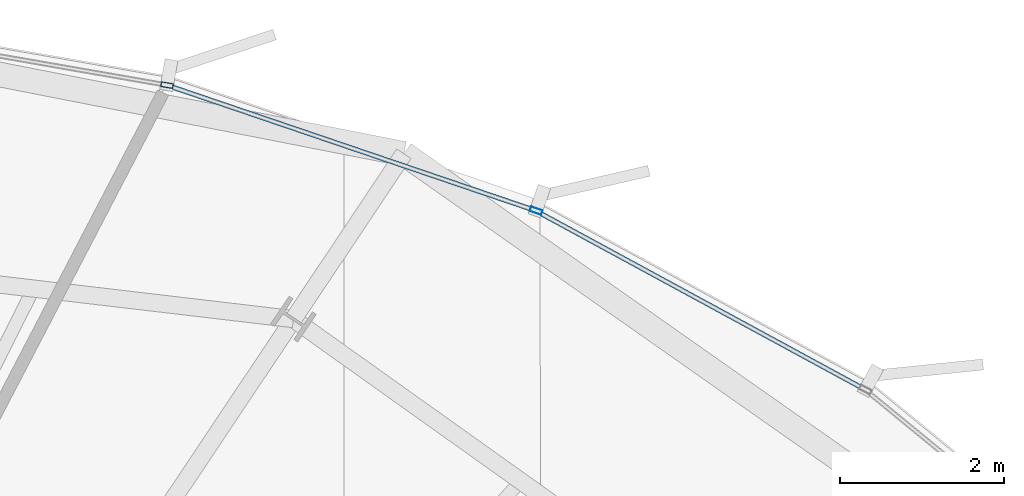
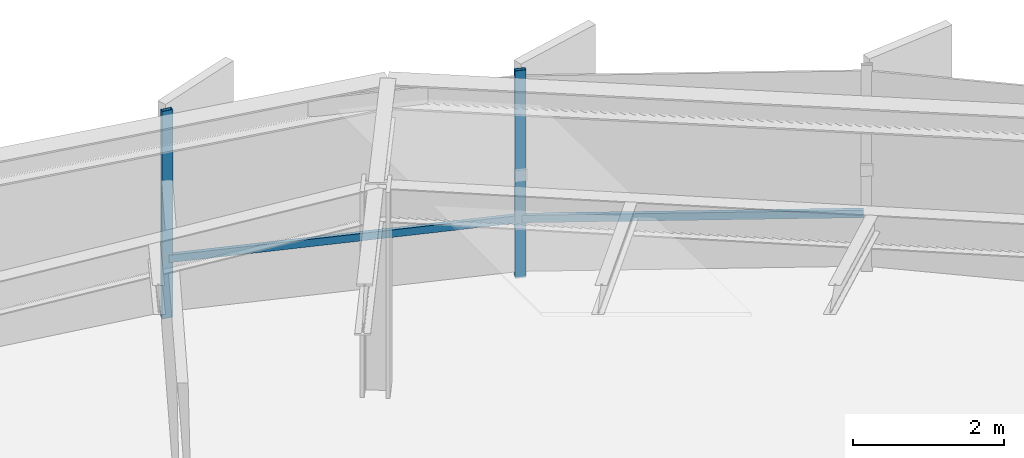
# One storey, part 23 of 33: 4 members, 1 element without a shape of its own.
"""IFC4 building model written with IfcOpenShell, lengths in metres."""

from ifc_helpers import new_model, si_unit, direction, frame, origin, origin_2d, place, context, subcontext, project, spatial, hollow_rectangle, extrude, source, transform, mapped, material, layer, layer_set, material_profile, profile_set, type_object, element, aggregate, save


model = new_model("IFC4")

# Units and contexts
model_context = context("Model", 3, precision=1e-05, world=origin(), true_north=direction((0.0, 1.0)))
body_context = subcontext(model_context, "Body", "Model", "MODEL_VIEW")
ifc_project = project(units=[si_unit("LENGTHUNIT", "METRE"), si_unit("AREAUNIT", "SQUARE_METRE"), si_unit("VOLUMEUNIT", "CUBIC_METRE"), si_unit("PLANEANGLEUNIT", "RADIAN"), si_unit("MASSUNIT", "GRAM", prefix="KILO"), si_unit("THERMODYNAMICTEMPERATUREUNIT", "KELVIN")], contexts=[model_context])

# Site, building, storey
site_placement = place(None, origin())
site = spatial("IfcSite", under=ifc_project, at=site_placement, CompositionType="ELEMENT")
building_placement = place(site_placement, origin())
building = spatial("IfcBuilding", under=site, at=building_placement, Name="Kethvar Cultural Tower", CompositionType="ELEMENT")
storey_placement = place(building_placement, frame((0.0, 0.0, 110.800048828125)))
storey = spatial("IfcBuildingStorey", under=building, at=storey_placement, Name="L27", CompositionType="ELEMENT", Elevation=110.800048828125)

# Curtain wall, members
ifc_material = material(Name="Aluminium 6063-T6", Category="aluminium")
ifc_layer = layer(ifc_material, 0.179931640625, Name="Aluminium 6063-T6", Category="aluminium")
ifc_layer_set = layer_set([ifc_layer], Name="Aluminium 6063-T6 (180 mm)")
curtain_wall_type = type_object("IfcCurtainWallType", Name="CW-SYS-03-Z2", PredefinedType="NOTDEFINED", material=ifc_layer_set)
curtain_wall_placement = place(storey_placement, origin())
curtain_wall = element("IfcCurtainWall", 1, at=curtain_wall_placement, inside=storey, type_object=curtain_wall_type, Name="L27 Curtain Wall Run 01", PredefinedType="NOTDEFINED")
ifc_material_profile_1 = material_profile(ifc_material, hollow_rectangle(XDim=0.06005859375, YDim=0.14990234375, WallThickness=0.0048828125, at=origin_2d()), Name="Aluminium 6063-T6 — RHS150x60x5")
ifc_profile_set_1 = profile_set([ifc_material_profile_1], Name="Aluminium 6063-T6 — RHS150x60x5")
member_type_1 = type_object("IfcMemberType", Name="CW-SYS-03-Z2-MUL", PredefinedType="MULLION", material=ifc_profile_set_1)
shared_shape_1 = source(origin(), body_context, "Body", "SweptSolid", [
    extrude(hollow_rectangle(XDim=0.06005859375, YDim=0.14990234375, WallThickness=0.0048828125, at=origin_2d()), origin(), (0.0, 0.0, 1.0), 3.349853515625),
])
member_1_placement = place(storey_placement, frame((63.36962890625, 49.484619140625, 0.0), z_axis=(0.0, 0.0, 1.0), x_axis=(-0.321951756734, -0.946756075415, 0.0)))
member_1 = element("IfcMember", 2, at=member_1_placement, type_object=member_type_1, Name="CW-L27-R01 Mullion 5", PredefinedType="MULLION", context=body_context, shape_type="MappedRepresentation", body=[
    mapped(shared_shape_1, transform((0.0, 0.0, 0.0), scale=1.0)),
])
member_2_placement = place(storey_placement, frame((58.86083984375, 51.019287109375, 0.0), z_axis=(0.0, 0.0, 1.0), x_axis=(-0.171619610578, -0.985163290661, 0.0)))
member_2 = element("IfcMember", 3, at=member_2_placement, type_object=member_type_1, Name="CW-L27-R01 Mullion 6", PredefinedType="MULLION", context=body_context, shape_type="MappedRepresentation", body=[
    mapped(shared_shape_1, transform((0.0, 0.0, 0.0), scale=1.0)),
])
ifc_material_profile_2 = material_profile(ifc_material, hollow_rectangle(XDim=0.054931640625, YDim=0.1201171875, WallThickness=0.00390625, at=origin_2d()), Name="Aluminium 6063-T6 — RHS120x55x4")
ifc_profile_set_2 = profile_set([ifc_material_profile_2], Name="Aluminium 6063-T6 — RHS120x55x4")
member_type_2 = type_object("IfcMemberType", Name="CW-SYS-03-Z2-TRN", PredefinedType="USERDEFINED", material=ifc_profile_set_2)
shared_shape_2 = source(origin(), body_context, "Body", "SweptSolid", [
    extrude(hollow_rectangle(XDim=0.054931640625, YDim=0.1201171875, WallThickness=0.00390625, at=origin_2d()), origin(), (0.0, 0.0, 1.0), 4.51220703125),
])
member_3_placement = place(storey_placement, frame((67.355224609375, 47.318603515625, 0.949951171875), z_axis=(-0.878809998937, 0.477171861878, 0.0), x_axis=(-0.477171861878, -0.878809998937, 0.0)))
member_3 = element("IfcMember", 4, at=member_3_placement, type_object=member_type_2, Name="CW-L27-R01 Transom 4", ObjectType="TRANSOM", PredefinedType="USERDEFINED", context=body_context, shape_type="MappedRepresentation", body=[
    mapped(shared_shape_2, transform((0.0, 0.0, 0.0), scale=1.0)),
])
shared_shape_3 = source(origin(), body_context, "Body", "SweptSolid", [
    extrude(hollow_rectangle(XDim=0.054931640625, YDim=0.1201171875, WallThickness=0.00390625, at=origin_2d()), origin(), (0.0, 0.0, 1.0), 4.6943359375),
])
member_4_placement = place(storey_placement, frame((63.328857421875, 49.49853515625, 0.949951171875), z_axis=(-0.94676259999, 0.321932569432, 0.0), x_axis=(-0.321932569432, -0.94676259999, 0.0)))
member_4 = element("IfcMember", 5, at=member_4_placement, type_object=member_type_2, Name="CW-L27-R01 Transom 5", ObjectType="TRANSOM", PredefinedType="USERDEFINED", context=body_context, shape_type="MappedRepresentation", body=[
    mapped(shared_shape_3, transform((0.0, 0.0, 0.0), scale=1.0)),
])
aggregate(curtain_wall, [member_1, member_2, member_3, member_4])

save(model, "model.ifc")
